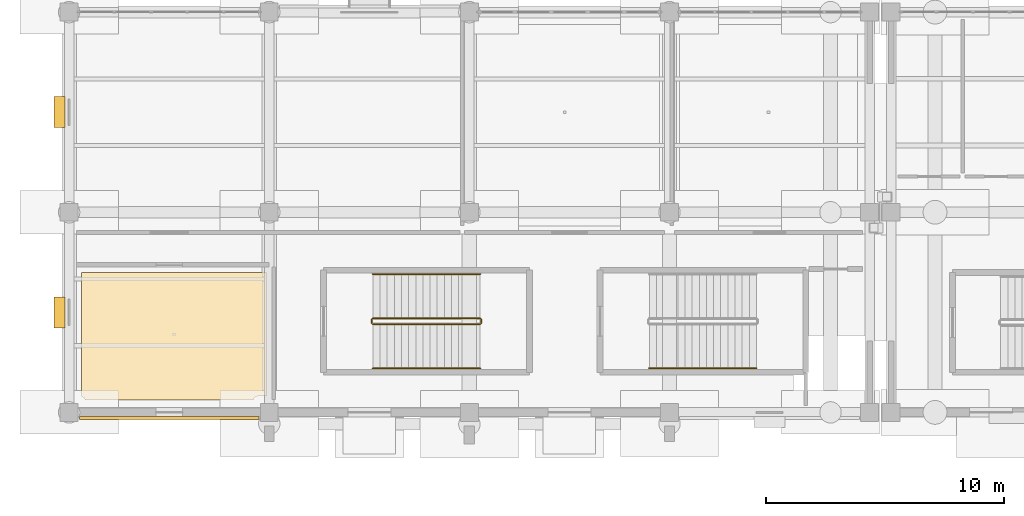
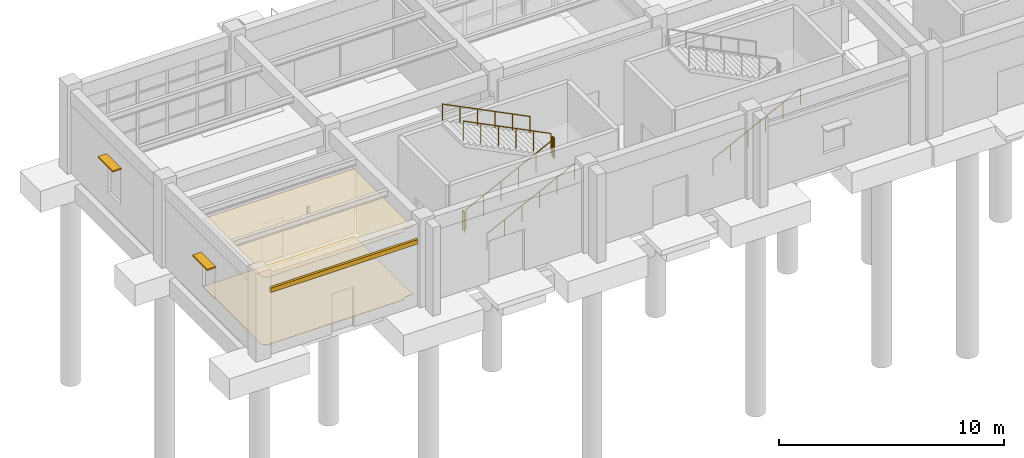
# One storey, part 23 of 29: 7 railings, 3 coverings, 2 shading devices.
"""IFC4 building model written with IfcOpenShell, lengths in metres."""

from ifc_helpers import new_model, si_unit, direction, frame, origin, origin_2d, place, context, subcontext, project, spatial, polyline, rectangle, circle, outline, extrude, material, layer, layer_set, type_object, element, save


model = new_model("IFC4")

# Units and contexts
model_context = context("Model", 3, precision=1e-05, world=origin(), true_north=direction((0.0, 1.0)))
body_context = subcontext(model_context, "Body", "Model", "MODEL_VIEW")
ifc_project = project(units=[si_unit("LENGTHUNIT", "METRE"), si_unit("AREAUNIT", "SQUARE_METRE"), si_unit("VOLUMEUNIT", "CUBIC_METRE"), si_unit("PLANEANGLEUNIT", "RADIAN"), si_unit("MASSUNIT", "GRAM", prefix="KILO")], contexts=[model_context])

# Site, building, storey
site_placement = place(None, origin())
site = spatial("IfcSite", under=ifc_project, at=site_placement, CompositionType="ELEMENT")
building_placement = place(site_placement, origin())
building = spatial("IfcBuilding", under=site, at=building_placement, Name="Canglan Escarpment Cableway Terminal", CompositionType="ELEMENT")
storey_placement = place(building_placement, origin())
storey = spatial("IfcBuildingStorey", under=building, at=storey_placement, Name="L00", CompositionType="ELEMENT", Elevation=0.0)

# Coverings
ifc_material_1 = material(Name="Micro-perforated acoustic aluminium ceiling", Category="aluminium")
ifc_layer_1 = layer(ifc_material_1, 0.0400390625, Name="Micro-perforated acoustic aluminium ceiling")
ifc_layer_set_1 = layer_set([ifc_layer_1], Name="Micro-perforated acoustic aluminium ceiling")
covering_type_1 = type_object("IfcCoveringType", Name="COV-CEIL-ACOUSTIC-40", PredefinedType="CEILING", material=ifc_layer_set_1)
covering_1_placement = place(storey_placement, frame((0.0, 0.0, 3.659912109375)))
element("IfcCovering", 1, at=covering_1_placement, inside=storey, type_object=covering_type_1, Name="Fire Control Room suspended acoustic ceiling", PredefinedType="CEILING", context=body_context, shape_type="SweptSolid", body=[
    extrude(outline(polyline([(8.533203125, 8.667236328125), (8.531494140625, 8.66796875), (8.52978515625, 8.668701171875), (8.5283203125, 8.669921875), (8.52685546875, 8.6708984375), (8.525390625, 8.67236328125), (8.524169921875, 8.673583984375), (8.523193359375, 8.67529296875), (8.522216796875, 8.677001953125), (8.521484375, 8.6787109375), (8.520751953125, 8.680419921875), (8.5205078125, 8.68212890625), (8.52001953125, 8.68408203125), (8.52001953125, 8.68603515625), (8.52001953125, 13.860107421875), (8.52001953125, 13.862060546875), (8.5205078125, 13.864013671875), (8.52099609375, 13.86572265625), (8.521484375, 13.86767578125), (8.5224609375, 13.869384765625), (8.5234375, 13.87109375), (8.5244140625, 13.872802734375), (8.52587890625, 13.8740234375), (8.52734375, 13.87548828125), (8.52880859375, 13.876708984375), (8.530517578125, 13.877685546875), (8.5322265625, 13.87841796875), (8.5341796875, 13.879150390625), (8.5361328125, 13.879638671875), (8.5380859375, 13.8798828125), (8.5400390625, 13.8798828125), (16.260009765625, 13.8798828125), (16.261962890625, 13.8798828125), (16.263916015625, 13.879638671875), (16.265869140625, 13.879150390625), (16.267578125, 13.87841796875), (16.269287109375, 13.877685546875), (16.27099609375, 13.876708984375), (16.272705078125, 13.87548828125), (16.274169921875, 13.8740234375), (16.275390625, 13.872802734375), (16.276611328125, 13.87109375), (16.277587890625, 13.869384765625), (16.278564453125, 13.86767578125), (16.279052734375, 13.86572265625), (16.279541015625, 13.864013671875), (16.27978515625, 13.862060546875), (16.280029296875, 13.860107421875), (16.280029296875, 8.699951171875), (16.27978515625, 8.697998046875), (16.279541015625, 8.696044921875), (16.279052734375, 8.694091796875), (16.278564453125, 8.6923828125), (16.277587890625, 8.690673828125), (16.276611328125, 8.68896484375), (16.275390625, 8.687255859375), (16.274169921875, 8.685791015625), (16.272705078125, 8.6845703125), (16.27099609375, 8.683349609375), (16.269287109375, 8.682373046875), (16.267578125, 8.681396484375), (16.265869140625, 8.680908203125), (16.263916015625, 8.680419921875), (16.261962890625, 8.68017578125), (16.260009765625, 8.679931640625), (15.940185546875, 8.679931640625), (15.939697265625, 8.679931640625), (15.9189453125, 8.678955078125), (15.91796875, 8.678955078125), (15.897705078125, 8.67578125), (15.896484375, 8.67578125), (15.876708984375, 8.670654296875), (15.875732421875, 8.67041015625), (15.856201171875, 8.663330078125), (15.85546875, 8.6630859375), (15.836669921875, 8.654296875), (15.8359375, 8.65380859375), (15.818115234375, 8.643310546875), (15.8173828125, 8.642578125), (15.80078125, 8.63037109375), (15.800048828125, 8.629638671875), (15.784912109375, 8.615966796875), (15.7841796875, 8.615234375), (15.770263671875, 8.599853515625), (15.76953125, 8.59912109375), (15.75732421875, 8.58251953125), (15.7568359375, 8.581787109375), (15.74609375, 8.564208984375), (15.745849609375, 8.563232421875), (15.737060546875, 8.544677734375), (15.736572265625, 8.543701171875), (15.73291015625, 8.533203125), (15.732177734375, 8.531494140625), (15.731201171875, 8.52978515625), (15.730224609375, 8.5283203125), (15.72900390625, 8.52685546875), (15.727783203125, 8.525390625), (15.726318359375, 8.524169921875), (15.724609375, 8.523193359375), (15.72314453125, 8.522216796875), (15.721435546875, 8.521484375), (15.719482421875, 8.520751953125), (15.7177734375, 8.5205078125), (15.7158203125, 8.52001953125), (15.714111328125, 8.52001953125), (8.68603515625, 8.52001953125), (8.68408203125, 8.52001953125), (8.68212890625, 8.5205078125), (8.680419921875, 8.520751953125), (8.6787109375, 8.521484375), (8.677001953125, 8.522216796875), (8.67529296875, 8.523193359375), (8.673583984375, 8.524169921875), (8.67236328125, 8.525390625), (8.6708984375, 8.52685546875), (8.669921875, 8.5283203125), (8.668701171875, 8.52978515625), (8.66796875, 8.531494140625), (8.667236328125, 8.533203125), (8.663330078125, 8.543701171875), (8.6630859375, 8.544677734375), (8.654296875, 8.563232421875), (8.65380859375, 8.564208984375), (8.643310546875, 8.581787109375), (8.642578125, 8.58251953125), (8.63037109375, 8.59912109375), (8.629638671875, 8.599853515625), (8.615966796875, 8.615234375), (8.615234375, 8.615966796875), (8.599853515625, 8.629638671875), (8.59912109375, 8.63037109375), (8.58251953125, 8.642578125), (8.581787109375, 8.643310546875), (8.564208984375, 8.65380859375), (8.563232421875, 8.654296875), (8.544677734375, 8.6630859375), (8.543701171875, 8.663330078125), (8.533203125, 8.667236328125)])), origin(), (0.0, 0.0, 1.0), 0.0400390625),
])
ifc_material_2 = material(Name="Carved classical limestone cornice", Category="masonry")
ifc_layer_2 = layer(ifc_material_2, 0.1201171875, Name="Carved classical limestone cornice")
ifc_layer_set_2 = layer_set([ifc_layer_2], Name="Carved classical limestone cornice")
covering_type_2 = type_object("IfcCoveringType", Name="COV-CORNICE-STONE", PredefinedType="CLADDING", material=ifc_layer_set_2)
covering_2_placement = place(storey_placement, frame((12.199951171875, 7.760009765625, 3.455078125), z_axis=(0.0, 0.0, 1.0), x_axis=(1.0, 0.0, 0.0)))
element("IfcCovering", 2, at=covering_2_placement, inside=storey, type_object=covering_type_2, Name="Classical carved limestone cornice CL-01", PredefinedType="CLADDING", context=body_context, shape_type="SweptSolid", body=[
    extrude(rectangle(XDim=7.550048828125, YDim=0.1201171875, at=origin_2d()), origin(), (0.0, 0.0, 1.0), 0.239990234375),
])
ifc_material_3 = material(Name="Honed Sichuan grey granite flooring", Category="masonry")
ifc_layer_3 = layer(ifc_material_3, 0.02001953125, Name="Honed Sichuan grey granite flooring")
ifc_layer_set_3 = layer_set([ifc_layer_3], Name="Honed Sichuan grey granite flooring")
covering_type_3 = type_object("IfcCoveringType", Name="COV-FLR-GRANITE-20", PredefinedType="FLOORING", material=ifc_layer_set_3)
covering_3_placement = place(storey_placement, origin())
element("IfcCovering", 3, at=covering_3_placement, inside=storey, type_object=covering_type_3, Name="Fire Control Room stone floor finish", PredefinedType="FLOORING", context=body_context, shape_type="SweptSolid", body=[
    extrude(outline(polyline([(8.533203125, 8.667236328125), (8.531494140625, 8.66796875), (8.52978515625, 8.668701171875), (8.5283203125, 8.669921875), (8.52685546875, 8.6708984375), (8.525390625, 8.67236328125), (8.524169921875, 8.673583984375), (8.523193359375, 8.67529296875), (8.522216796875, 8.677001953125), (8.521484375, 8.6787109375), (8.520751953125, 8.680419921875), (8.5205078125, 8.68212890625), (8.52001953125, 8.68408203125), (8.52001953125, 8.68603515625), (8.52001953125, 13.860107421875), (8.52001953125, 13.862060546875), (8.5205078125, 13.864013671875), (8.52099609375, 13.86572265625), (8.521484375, 13.86767578125), (8.5224609375, 13.869384765625), (8.5234375, 13.87109375), (8.5244140625, 13.872802734375), (8.52587890625, 13.8740234375), (8.52734375, 13.87548828125), (8.52880859375, 13.876708984375), (8.530517578125, 13.877685546875), (8.5322265625, 13.87841796875), (8.5341796875, 13.879150390625), (8.5361328125, 13.879638671875), (8.5380859375, 13.8798828125), (8.5400390625, 13.8798828125), (16.260009765625, 13.8798828125), (16.261962890625, 13.8798828125), (16.263916015625, 13.879638671875), (16.265869140625, 13.879150390625), (16.267578125, 13.87841796875), (16.269287109375, 13.877685546875), (16.27099609375, 13.876708984375), (16.272705078125, 13.87548828125), (16.274169921875, 13.8740234375), (16.275390625, 13.872802734375), (16.276611328125, 13.87109375), (16.277587890625, 13.869384765625), (16.278564453125, 13.86767578125), (16.279052734375, 13.86572265625), (16.279541015625, 13.864013671875), (16.27978515625, 13.862060546875), (16.280029296875, 13.860107421875), (16.280029296875, 8.699951171875), (16.27978515625, 8.697998046875), (16.279541015625, 8.696044921875), (16.279052734375, 8.694091796875), (16.278564453125, 8.6923828125), (16.277587890625, 8.690673828125), (16.276611328125, 8.68896484375), (16.275390625, 8.687255859375), (16.274169921875, 8.685791015625), (16.272705078125, 8.6845703125), (16.27099609375, 8.683349609375), (16.269287109375, 8.682373046875), (16.267578125, 8.681396484375), (16.265869140625, 8.680908203125), (16.263916015625, 8.680419921875), (16.261962890625, 8.68017578125), (16.260009765625, 8.679931640625), (15.940185546875, 8.679931640625), (15.939697265625, 8.679931640625), (15.9189453125, 8.678955078125), (15.91796875, 8.678955078125), (15.897705078125, 8.67578125), (15.896484375, 8.67578125), (15.876708984375, 8.670654296875), (15.875732421875, 8.67041015625), (15.856201171875, 8.663330078125), (15.85546875, 8.6630859375), (15.836669921875, 8.654296875), (15.8359375, 8.65380859375), (15.818115234375, 8.643310546875), (15.8173828125, 8.642578125), (15.80078125, 8.63037109375), (15.800048828125, 8.629638671875), (15.784912109375, 8.615966796875), (15.7841796875, 8.615234375), (15.770263671875, 8.599853515625), (15.76953125, 8.59912109375), (15.75732421875, 8.58251953125), (15.7568359375, 8.581787109375), (15.74609375, 8.564208984375), (15.745849609375, 8.563232421875), (15.737060546875, 8.544677734375), (15.736572265625, 8.543701171875), (15.73291015625, 8.533203125), (15.732177734375, 8.531494140625), (15.731201171875, 8.52978515625), (15.730224609375, 8.5283203125), (15.72900390625, 8.52685546875), (15.727783203125, 8.525390625), (15.726318359375, 8.524169921875), (15.724609375, 8.523193359375), (15.72314453125, 8.522216796875), (15.721435546875, 8.521484375), (15.719482421875, 8.520751953125), (15.7177734375, 8.5205078125), (15.7158203125, 8.52001953125), (15.714111328125, 8.52001953125), (8.68603515625, 8.52001953125), (8.68408203125, 8.52001953125), (8.68212890625, 8.5205078125), (8.680419921875, 8.520751953125), (8.6787109375, 8.521484375), (8.677001953125, 8.522216796875), (8.67529296875, 8.523193359375), (8.673583984375, 8.524169921875), (8.67236328125, 8.525390625), (8.6708984375, 8.52685546875), (8.669921875, 8.5283203125), (8.668701171875, 8.52978515625), (8.66796875, 8.531494140625), (8.667236328125, 8.533203125), (8.663330078125, 8.543701171875), (8.6630859375, 8.544677734375), (8.654296875, 8.563232421875), (8.65380859375, 8.564208984375), (8.643310546875, 8.581787109375), (8.642578125, 8.58251953125), (8.63037109375, 8.59912109375), (8.629638671875, 8.599853515625), (8.615966796875, 8.615234375), (8.615234375, 8.615966796875), (8.599853515625, 8.629638671875), (8.59912109375, 8.63037109375), (8.58251953125, 8.642578125), (8.581787109375, 8.643310546875), (8.564208984375, 8.65380859375), (8.563232421875, 8.654296875), (8.544677734375, 8.6630859375), (8.543701171875, 8.663330078125), (8.533203125, 8.667236328125)])), origin(), (0.0, 0.0, 1.0), 0.02001953125),
])

# Railings
ifc_material_4 = material(Name="Powder-coated steel stair balustrade", Category="steel")
railing_type_1 = type_object("IfcRailingType", Name="RL-STR-GUARD-1100", PredefinedType="BALUSTRADE", material=ifc_material_4)
railing_1_placement = place(storey_placement, frame((20.75, 11.699951171875, 0.14990234375)))
element("IfcRailing", 4, at=railing_1_placement, inside=storey, type_object=railing_type_1, Name="L00 ST-01 stair guard 1", PredefinedType="BALUSTRADE", context=body_context, shape_type="SweptSolid", body=[
    extrude(circle(Radius=0.02392578125, at=origin_2d()), frame((0.0, 0.0, 1.076171875), z_axis=(0.894427191, 0.0, 0.4472135955), x_axis=(0.0, 1.0, 0.0)), (0.0, 0.0, 1.0), 5.03125),
    extrude(circle(Radius=0.02099609375, at=origin_2d()), origin(), (0.0, 0.0, 1.0), 1.052001953125),
    extrude(circle(Radius=0.02099609375, at=origin_2d()), frame((0.89990234375, 0.0, 0.449951171875)), (0.0, 0.0, 1.0), 1.052001953125),
    extrude(circle(Radius=0.02099609375, at=origin_2d()), frame((1.800048828125, 0.0, 0.89990234375)), (0.0, 0.0, 1.0), 1.052001953125),
    extrude(circle(Radius=0.02099609375, at=origin_2d()), frame((2.699951171875, 0.0, 1.35009765625)), (0.0, 0.0, 1.0), 1.052001953125),
    extrude(circle(Radius=0.02099609375, at=origin_2d()), frame((3.60009765625, 0.0, 1.800048828125)), (0.0, 0.0, 1.0), 1.052001953125),
    extrude(circle(Radius=0.02099609375, at=origin_2d()), frame((4.5, 0.0, 2.25)), (0.0, 0.0, 1.0), 1.052001953125),
])
railing_2_placement = place(storey_placement, frame((25.300048828125, 11.75, 2.39990234375)))
element("IfcRailing", 5, at=railing_2_placement, inside=storey, type_object=railing_type_1, Name="L00 ST-01 stair guard 2", PredefinedType="BALUSTRADE", context=body_context, shape_type="SweptSolid", body=[
    extrude(circle(Radius=0.02392578125, at=origin_2d()), frame((0.0, 0.0, 1.076171875), z_axis=(0.0, 1.0, 0.0), x_axis=(-1.0, 0.0, 0.0)), (0.0, 0.0, 1.0), 0.14990234375),
    extrude(circle(Radius=0.02099609375, at=origin_2d()), origin(), (0.0, 0.0, 1.0), 1.052001953125),
    extrude(circle(Radius=0.02099609375, at=origin_2d()), frame((0.0, 0.14990234375, 0.0)), (0.0, 0.0, 1.0), 1.052001953125),
])
railing_3_placement = place(storey_placement, frame((25.25, 11.949951171875, 2.550048828125)))
element("IfcRailing", 6, at=railing_3_placement, inside=storey, type_object=railing_type_1, Name="L00 ST-01 stair guard 3", PredefinedType="BALUSTRADE", context=body_context, shape_type="SweptSolid", body=[
    extrude(circle(Radius=0.02392578125, at=origin_2d()), frame((0.0, 0.0, 1.076171875), z_axis=(-0.894427191, 0.0, 0.4472135955), x_axis=(0.0, -1.0, 0.0)), (0.0, 0.0, 1.0), 5.03125),
    extrude(circle(Radius=0.02099609375, at=origin_2d()), origin(), (0.0, 0.0, 1.0), 1.052001953125),
    extrude(circle(Radius=0.02099609375, at=origin_2d()), frame((-0.89990234375, 0.0, 0.449951171875)), (0.0, 0.0, 1.0), 1.052001953125),
    extrude(circle(Radius=0.02099609375, at=origin_2d()), frame((-1.800048828125, 0.0, 0.89990234375)), (0.0, 0.0, 1.0), 1.052001953125),
    extrude(circle(Radius=0.02099609375, at=origin_2d()), frame((-2.699951171875, 0.0, 1.35009765625)), (0.0, 0.0, 1.0), 1.052001953125),
    extrude(circle(Radius=0.02099609375, at=origin_2d()), frame((-3.60009765625, 0.0, 1.800048828125)), (0.0, 0.0, 1.0), 1.052001953125),
    extrude(circle(Radius=0.02099609375, at=origin_2d()), frame((-4.5, 0.0, 2.25)), (0.0, 0.0, 1.0), 1.052001953125),
])
railing_4_placement = place(storey_placement, frame((20.699951171875, 11.75, 0.0)))
element("IfcRailing", 7, at=railing_4_placement, inside=storey, type_object=railing_type_1, Name="L00 ST-01 stair guard 4", PredefinedType="BALUSTRADE", context=body_context, shape_type="SweptSolid", body=[
    extrude(circle(Radius=0.02392578125, at=origin_2d()), frame((0.0, 0.0, 1.076171875), z_axis=(0.0, 1.0, 0.0), x_axis=(-1.0, 0.0, 0.0)), (0.0, 0.0, 1.0), 0.14990234375),
    extrude(circle(Radius=0.02099609375, at=origin_2d()), origin(), (0.0, 0.0, 1.0), 1.052001953125),
    extrude(circle(Radius=0.02099609375, at=origin_2d()), frame((0.0, 0.14990234375, 0.0)), (0.0, 0.0, 1.0), 1.052001953125),
])
ifc_material_5 = material(Name="Brushed stainless steel 304 handrail", Category="steel")
railing_type_2 = type_object("IfcRailingType", Name="RL-STR-HR-900", PredefinedType="HANDRAIL", material=ifc_material_5)
railing_5_placement = place(storey_placement, frame((20.75, 9.85009765625, 0.14990234375)))
element("IfcRailing", 8, at=railing_5_placement, inside=storey, type_object=railing_type_2, Name="L00 ST-01 stair handrail 1", PredefinedType="HANDRAIL", context=body_context, shape_type="SweptSolid", body=[
    extrude(circle(Radius=0.02392578125, at=origin_2d()), frame((0.0, 0.0, 0.8759765625), z_axis=(0.894427191, 0.0, 0.4472135955), x_axis=(0.0, 1.0, 0.0)), (0.0, 0.0, 1.0), 5.03125),
    extrude(circle(Radius=0.02099609375, at=origin_2d()), origin(), (0.0, 0.0, 1.0), 0.851806640625),
    extrude(circle(Radius=0.02099609375, at=origin_2d()), frame((0.89990234375, 0.0, 0.449951171875)), (0.0, 0.0, 1.0), 0.851806640625),
    extrude(circle(Radius=0.02099609375, at=origin_2d()), frame((1.800048828125, 0.0, 0.89990234375)), (0.0, 0.0, 1.0), 0.851806640625),
    extrude(circle(Radius=0.02099609375, at=origin_2d()), frame((2.699951171875, 0.0, 1.35009765625)), (0.0, 0.0, 1.0), 0.851806640625),
    extrude(circle(Radius=0.02099609375, at=origin_2d()), frame((3.60009765625, 0.0, 1.800048828125)), (0.0, 0.0, 1.0), 0.851806640625),
    extrude(circle(Radius=0.02099609375, at=origin_2d()), frame((4.5, 0.0, 2.25)), (0.0, 0.0, 1.0), 0.851806640625),
])
railing_6_placement = place(storey_placement, frame((25.25, 13.800048828125, 2.550048828125)))
element("IfcRailing", 9, at=railing_6_placement, inside=storey, type_object=railing_type_2, Name="L00 ST-01 stair handrail 2", PredefinedType="HANDRAIL", context=body_context, shape_type="SweptSolid", body=[
    extrude(circle(Radius=0.02392578125, at=origin_2d()), frame((0.0, 0.0, 0.8759765625), z_axis=(-0.894427191, 0.0, 0.4472135955), x_axis=(0.0, -1.0, 0.0)), (0.0, 0.0, 1.0), 5.03125),
    extrude(circle(Radius=0.02099609375, at=origin_2d()), origin(), (0.0, 0.0, 1.0), 0.851806640625),
    extrude(circle(Radius=0.02099609375, at=origin_2d()), frame((-0.89990234375, 0.0, 0.449951171875)), (0.0, 0.0, 1.0), 0.851806640625),
    extrude(circle(Radius=0.02099609375, at=origin_2d()), frame((-1.800048828125, 0.0, 0.89990234375)), (0.0, 0.0, 1.0), 0.851806640625),
    extrude(circle(Radius=0.02099609375, at=origin_2d()), frame((-2.699951171875, 0.0, 1.35009765625)), (0.0, 0.0, 1.0), 0.851806640625),
    extrude(circle(Radius=0.02099609375, at=origin_2d()), frame((-3.60009765625, 0.0, 1.800048828125)), (0.0, 0.0, 1.0), 0.851806640625),
    extrude(circle(Radius=0.02099609375, at=origin_2d()), frame((-4.5, 0.0, 2.25)), (0.0, 0.0, 1.0), 0.851806640625),
])
railing_7_placement = place(storey_placement, frame((32.35009765625, 9.85009765625, 0.14990234375)))
element("IfcRailing", 10, at=railing_7_placement, inside=storey, type_object=railing_type_2, Name="L00 ST-02 stair handrail 1", PredefinedType="HANDRAIL", context=body_context, shape_type="SweptSolid", body=[
    extrude(circle(Radius=0.02392578125, at=origin_2d()), frame((0.0, 0.0, 0.8759765625), z_axis=(0.894427191, 0.0, 0.4472135955), x_axis=(0.0, 1.0, 0.0)), (0.0, 0.0, 1.0), 5.03125),
    extrude(circle(Radius=0.02099609375, at=origin_2d()), origin(), (0.0, 0.0, 1.0), 0.851806640625),
    extrude(circle(Radius=0.02099609375, at=origin_2d()), frame((0.89990234375, 0.0, 0.449951171875)), (0.0, 0.0, 1.0), 0.851806640625),
    extrude(circle(Radius=0.02099609375, at=origin_2d()), frame((1.800048828125, 0.0, 0.89990234375)), (0.0, 0.0, 1.0), 0.851806640625),
    extrude(circle(Radius=0.02099609375, at=origin_2d()), frame((2.699951171875, 0.0, 1.35009765625)), (0.0, 0.0, 1.0), 0.851806640625),
    extrude(circle(Radius=0.02099609375, at=origin_2d()), frame((3.60009765625, 0.0, 1.800048828125)), (0.0, 0.0, 1.0), 0.851806640625),
    extrude(circle(Radius=0.02099609375, at=origin_2d()), frame((4.5, 0.0, 2.25)), (0.0, 0.0, 1.0), 0.851806640625),
])

# Shading devices
ifc_material_6 = material(Name="Anodized architectural bronze aluminium", Category="aluminium")
ifc_layer_4 = layer(ifc_material_6, 0.080078125, Name="Anodized architectural bronze aluminium")
ifc_layer_set_4 = layer_set([ifc_layer_4], Name="Anodized architectural bronze aluminium")
shading_device_type_1 = type_object("IfcShadingDeviceType", Name="SHD-BRONZE-LOUVRE-01", PredefinedType="JALOUSIE", material=ifc_layer_set_4)
shading_device_1_placement = place(storey_placement, frame((7.594970703125, 20.60009765625, 2.919921875), z_axis=(0.0, 0.0, 1.0), x_axis=(0.0, -1.0, 0.0)))
element("IfcShadingDevice", 11, at=shading_device_1_placement, inside=storey, type_object=shading_device_type_1, Name="Anodized bronze sun-shading brise-soleil SD-01", PredefinedType="JALOUSIE", context=body_context, shape_type="SweptSolid", body=[
    extrude(rectangle(XDim=1.300048828125, YDim=0.449951171875, at=origin_2d()), origin(), (0.0, 0.0, 1.0), 0.080078125),
])
ifc_layer_5 = layer(ifc_material_6, 0.10009765625, Name="Anodized architectural bronze aluminium")
ifc_layer_set_5 = layer_set([ifc_layer_5], Name="Anodized architectural bronze aluminium")
shading_device_type_2 = type_object("IfcShadingDeviceType", Name="SHD-BRONZE-LOUVRE-02", PredefinedType="JALOUSIE", material=ifc_layer_set_5)
shading_device_2_placement = place(storey_placement, frame((7.594970703125, 12.199951171875, 2.669921875), z_axis=(0.0, 0.0, 1.0), x_axis=(0.0, -1.0, 0.0)))
element("IfcShadingDevice", 12, at=shading_device_2_placement, inside=storey, type_object=shading_device_type_2, Name="Anodized bronze sun-shading brise-soleil SD-01", PredefinedType="JALOUSIE", context=body_context, shape_type="SweptSolid", body=[
    extrude(rectangle(XDim=1.300048828125, YDim=0.449951171875, at=origin_2d()), origin(), (0.0, 0.0, 1.0), 0.080078125),
])

save(model, "model.ifc")
